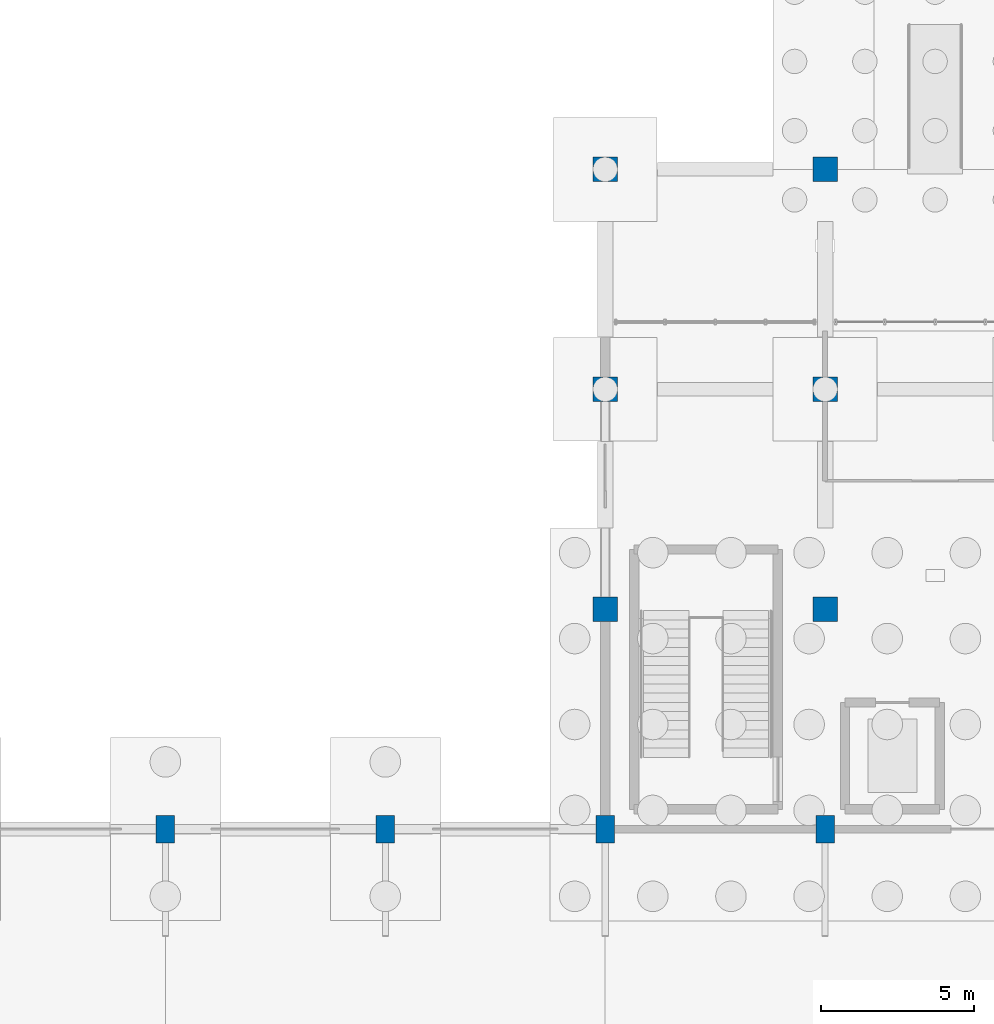
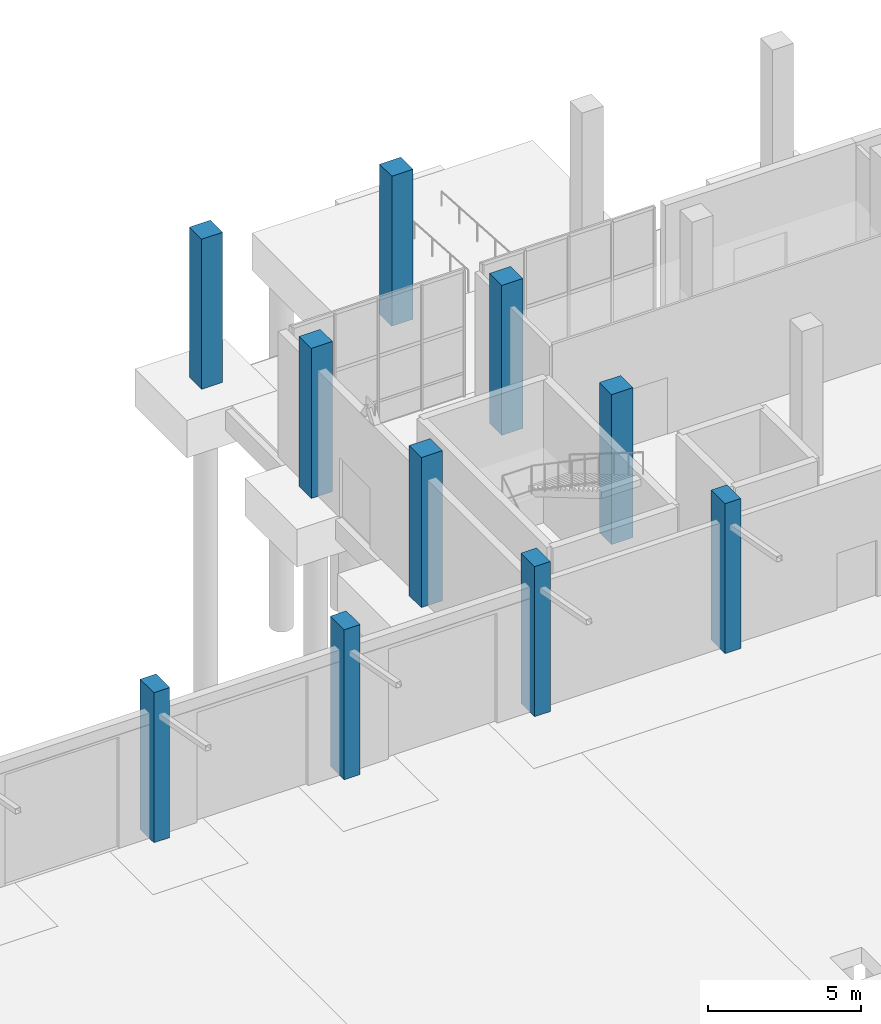
# One storey, part 10 of 45: 10 columns.
"""IFC4 building model written with IfcOpenShell, lengths in metres."""

from ifc_helpers import new_model, si_unit, direction, frame, origin, origin_2d, place, context, subcontext, project, spatial, rectangle, extrude, material, material_profile, profile_set, type_object, element, save


model = new_model("IFC4")

# Units and contexts
model_context = context("Model", 3, precision=1e-05, world=origin(), true_north=direction((0.0, 1.0)))
body_context = subcontext(model_context, "Body", "Model", "MODEL_VIEW")
ifc_project = project(units=[si_unit("LENGTHUNIT", "METRE"), si_unit("AREAUNIT", "SQUARE_METRE"), si_unit("VOLUMEUNIT", "CUBIC_METRE"), si_unit("PLANEANGLEUNIT", "RADIAN"), si_unit("MASSUNIT", "GRAM", prefix="KILO")], contexts=[model_context])

# Site, building, storey
site_placement = place(None, origin())
site = spatial("IfcSite", under=ifc_project, at=site_placement, CompositionType="ELEMENT")
building_placement = place(site_placement, origin())
building = spatial("IfcBuilding", under=site, at=building_placement, Name="Yarey Park Central Fire Station", CompositionType="ELEMENT")
storey_placement = place(building_placement, origin())
storey = spatial("IfcBuildingStorey", under=building, at=storey_placement, Name="L01", CompositionType="ELEMENT", Elevation=0.0)

# Columns
ifc_material = material(Name="Concrete C40/50", Category="concrete")
ifc_material_profile_1 = material_profile(ifc_material, rectangle(XDim=0.800048828125, YDim=0.800048828125, at=origin_2d()), Name="RC 800x800")
ifc_profile_set_1 = profile_set([ifc_material_profile_1], Name="Concrete C40/50")
column_type_1 = type_object("IfcColumnType", Name="STR_COL_RC800_EXT", PredefinedType="COLUMN", material=ifc_profile_set_1)
for number, where, z_axis, x_axis, name in (
    (1, (115.199951171875, 100.800048828125, 0.0), (0.0, 0.0, 1.0), (1.0, 0.0, 0.0), "COL_L01_X1152_Y1008"),
    (2, (115.199951171875, 108.0, 0.0), (0.0, 0.0, 1.0), (1.0, 0.0, 0.0), "COL_L01_X1152_Y1080"),
    (3, (115.199951171875, 115.199951171875, 0.0), (0.0, 0.0, 1.0), (1.0, 0.0, 0.0), "COL_L01_X1152_Y1152"),
    (4, (122.39990234375, 115.199951171875, 0.0), (0.0, 0.0, 1.0), (1.0, 0.0, 0.0), "COL_L01_X1224_Y1152"),
):
    element("IfcColumn", number, at=place(storey_placement, frame(where, z_axis=z_axis, x_axis=x_axis)), inside=storey, type_object=column_type_1, Name=name, PredefinedType="COLUMN", context=body_context, shape_type="SweptSolid", body=[
        extrude(rectangle(XDim=0.800048828125, YDim=0.800048828125, at=origin_2d()), origin(), (0.0, 0.0, 1.0), 6.0),
    ])
ifc_material_profile_2 = material_profile(ifc_material, rectangle(XDim=0.800048828125, YDim=0.800048828125, at=origin_2d()), Name="RC 800x800")
ifc_profile_set_2 = profile_set([ifc_material_profile_2], Name="Concrete C40/50")
column_type_2 = type_object("IfcColumnType", Name="STR_COL_RC800_INT", PredefinedType="COLUMN", material=ifc_profile_set_2)
for number, where, z_axis, x_axis, name in (
    (5, (122.39990234375, 100.800048828125, 0.0), (0.0, 0.0, 1.0), (1.0, 0.0, 0.0), "COL_L01_X1224_Y1008"),
    (6, (122.39990234375, 108.0, 0.0), (0.0, 0.0, 1.0), (1.0, 0.0, 0.0), "COL_L01_X1224_Y1080"),
):
    element("IfcColumn", number, at=place(storey_placement, frame(where, z_axis=z_axis, x_axis=x_axis)), inside=storey, type_object=column_type_2, Name=name, PredefinedType="COLUMN", context=body_context, shape_type="SweptSolid", body=[
        extrude(rectangle(XDim=0.800048828125, YDim=0.800048828125, at=origin_2d()), origin(), (0.0, 0.0, 1.0), 6.0),
    ])
ifc_material_profile_3 = material_profile(ifc_material, rectangle(XDim=0.60009765625, YDim=0.89990234375, at=origin_2d()), Name="RC 900x600")
ifc_profile_set_3 = profile_set([ifc_material_profile_3], Name="Concrete C40/50")
column_type_3 = type_object("IfcColumnType", Name="STR_PIER_ARCH", PredefinedType="PILASTER", material=ifc_profile_set_3)
for number, where, z_axis, x_axis, name in (
    (7, (100.800048828125, 93.60009765625, 0.0), (0.0, 0.0, 1.0), (1.0, 0.0, 0.0), "COL_L01_X1008_Y936"),
    (8, (108.0, 93.60009765625, 0.0), (0.0, 0.0, 1.0), (1.0, 0.0, 0.0), "COL_L01_X1080_Y936"),
    (9, (115.199951171875, 93.60009765625, 0.0), (0.0, 0.0, 1.0), (1.0, 0.0, 0.0), "COL_L01_X1152_Y936"),
    (10, (122.39990234375, 93.60009765625, 0.0), (0.0, 0.0, 1.0), (1.0, 0.0, 0.0), "COL_L01_X1224_Y936"),
):
    element("IfcColumn", number, at=place(storey_placement, frame(where, z_axis=z_axis, x_axis=x_axis)), inside=storey, type_object=column_type_3, Name=name, PredefinedType="PILASTER", context=body_context, shape_type="SweptSolid", body=[
        extrude(rectangle(XDim=0.60009765625, YDim=0.89990234375, at=origin_2d()), origin(), (0.0, 0.0, 1.0), 6.0),
    ])

save(model, "model.ifc")
